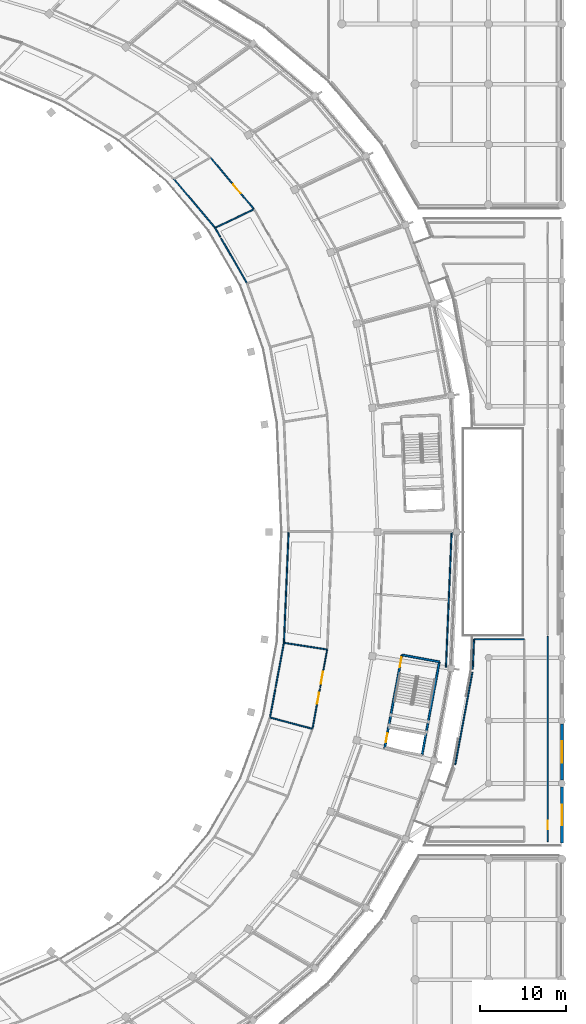
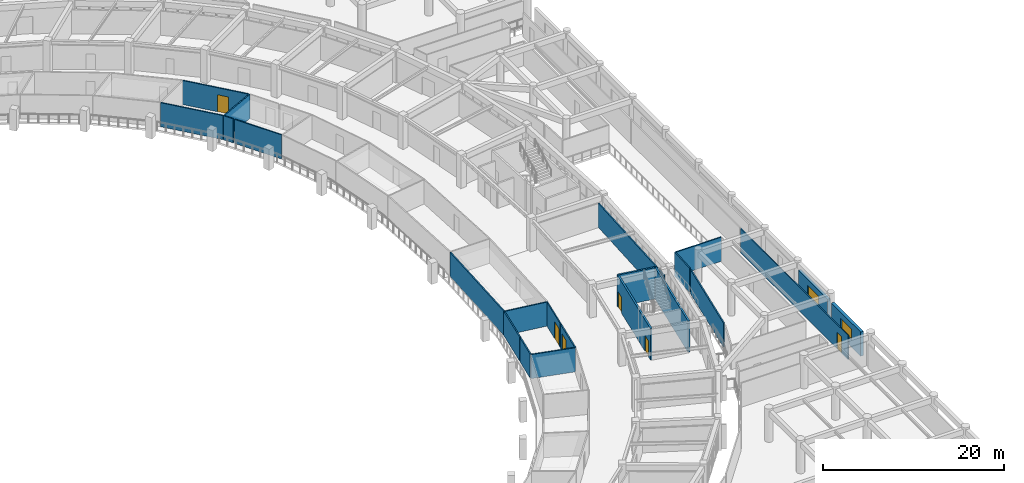
# One storey, part 100 of 141: 22 walls, 6 doors, 2 windows, 8 openings.
"""IFC4 building model written with IfcOpenShell, lengths in metres."""

from ifc_helpers import new_model, si_unit, direction, frame, frame_2d, origin, place, context, subcontext, project, spatial, rectangle, extrude, material, layer, layer_set, type_object, element, fill, save


model = new_model("IFC4")

# Units and contexts
model_context = context("Model", 3, precision=1e-05, world=origin(), true_north=direction((0.0, 1.0)))
body_context = subcontext(model_context, "Body", "Model", "MODEL_VIEW")
ifc_project = project(units=[si_unit("LENGTHUNIT", "METRE"), si_unit("AREAUNIT", "SQUARE_METRE"), si_unit("VOLUMEUNIT", "CUBIC_METRE"), si_unit("PLANEANGLEUNIT", "RADIAN"), si_unit("MASSUNIT", "GRAM", prefix="KILO")], contexts=[model_context])

# Site, building, storey
site_placement = place(None, origin())
site = spatial("IfcSite", under=ifc_project, at=site_placement, CompositionType="ELEMENT")
building_placement = place(site_placement, origin())
building = spatial("IfcBuilding", under=site, at=building_placement, Name="Mphavela Belvedere Stadium", CompositionType="ELEMENT")
storey_placement = place(building_placement, frame((0.0, 0.0, 14.699951171875)))
storey = spatial("IfcBuildingStorey", under=building, at=storey_placement, Name="L03", CompositionType="ELEMENT", Elevation=14.699951171875)

# Walls
ifc_material_1 = material(Name="Concrete C40/50", Category="concrete")
ifc_layer_1 = layer(ifc_material_1, 0.219970703125)
ifc_layer_set_1 = layer_set([ifc_layer_1], Name="Concrete C40/50")
wall_type_1 = type_object("IfcWallType", Name="WAL-CORE-SHEAR-220", PredefinedType="SHEAR", material=ifc_layer_set_1)
wall_1_placement = place(storey_placement, frame((215.771728515625, 71.914794921875, 0.0), z_axis=(0.0, 0.0, 1.0), x_axis=(-0.182574755222, -0.983191974517, 0.0)))
element("IfcWall", 1, at=wall_1_placement, inside=storey, type_object=wall_type_1, Name="Core C12 shear wall L03 rear", PredefinedType="SHEAR", context=body_context, shape_type="SweptSolid", body=[
    extrude(rectangle(XDim=11.02001953125, YDim=0.219970703125, at=frame_2d((5.510009765625, 0.0))), origin(), (0.0, 0.0, 1.0), 4.25),
])
wall_2_placement = place(storey_placement, frame((211.43603515625, 72.72021484375, 0.0), z_axis=(0.0, 0.0, 1.0), x_axis=(0.983179789985, -0.182640358532, 0.0)))
element("IfcWall", 2, at=wall_2_placement, inside=storey, type_object=wall_type_1, Name="Core C12 shear wall L03 left", PredefinedType="SHEAR", context=body_context, shape_type="SweptSolid", body=[
    extrude(rectangle(XDim=4.409912109375, YDim=0.219970703125, at=frame_2d((2.205078125, 0.0))), origin(), (0.0, 0.0, 1.0), 4.25),
])

# Wall, openings, doors
wall_3_placement = place(storey_placement, frame((211.43603515625, 72.72021484375, 0.0), z_axis=(0.0, 0.0, 1.0), x_axis=(-0.182570778451, -0.983192712979, 0.0)))
wall_3 = element("IfcWall", 3, at=wall_3_placement, inside=storey, type_object=wall_type_1, Name="Core C12 shear wall L03 front", PredefinedType="SHEAR", context=body_context, shape_type="SweptSolid", body=[
    extrude(rectangle(XDim=11.020263671875, YDim=0.219970703125, at=frame_2d((5.51025390625, 0.0))), origin(), (0.0, 0.0, 1.0), 4.25),
])
opening_1_placement = place(wall_3_placement, frame((0.300048828125, 0.0, 0.0)))
opening_1 = element("IfcOpeningElement", 4, at=opening_1_placement, cuts=wall_3, Name="Opening SD-065", PredefinedType="OPENING", context=body_context, shape_type="SweptSolid", body=[
    extrude(rectangle(XDim=1.14990234375, YDim=2.14990234375, at=frame_2d((0.574951171875, 1.074951171875))), frame((0.0, 0.1201171875, 0.0), z_axis=(0.0, -1.0, 0.0), x_axis=(1.0, 0.0, 0.0)), (0.0, 0.0, 1.0), 0.239990234375),
])
opening_2_placement = place(wall_3_placement, frame((9.22998046875, 0.0, 0.0)))
opening_2 = element("IfcOpeningElement", 5, at=opening_2_placement, cuts=wall_3, Name="Opening LD-065", PredefinedType="OPENING", context=body_context, shape_type="SweptSolid", body=[
    extrude(rectangle(XDim=1.10009765625, YDim=2.14990234375, at=frame_2d((0.550048828125, 1.074951171875))), frame((0.0, 0.1201171875, 0.0), z_axis=(0.0, -1.0, 0.0), x_axis=(1.0, 0.0, 0.0)), (0.0, 0.0, 1.0), 0.239990234375),
])
ifc_material_2 = material(Name="Stainless steel center-parting lift landing door", Category="steel")
door_type_1 = type_object("IfcDoorType", Name="DR-LIFT-SLIDE-1100", OperationType="NOTDEFINED", PredefinedType="DOOR", material=ifc_material_2)
door_1_placement = place(opening_2_placement, origin())
door_1 = element("IfcDoor", 6, at=door_1_placement, inside=storey, type_object=door_type_1, Name="Lift landing sliding door PL06 L03", OperationType="DOUBLE_DOOR_SLIDING", OverallHeight=2.14990234375, OverallWidth=1.10009765625, PredefinedType="DOOR", context=body_context, shape_type="SweptSolid", body=[
    extrude(rectangle(XDim=1.10009765625, YDim=2.14990234375, at=frame_2d((0.550048828125, 1.074951171875))), frame((0.0, 0.02490234375, 0.0), z_axis=(0.0, -1.0, 0.0), x_axis=(1.0, 0.0, 0.0)), (0.0, 0.0, 1.0), 0.050048828125),
])
fill(opening_2, door_1)
ifc_material_3 = material(Name="Steel acoustic fire-resisting stair doorset", Category="steel")
door_type_2 = type_object("IfcDoorType", Name="DR-STAIR-FIRE-1150", OperationType="NOTDEFINED", PredefinedType="DOOR", material=ifc_material_3)
door_2_placement = place(opening_1_placement, origin())
door_2 = element("IfcDoor", 7, at=door_2_placement, inside=storey, type_object=door_type_2, Name="Escape stair fire door C12 L03", OperationType="SINGLE_SWING_LEFT", OverallHeight=2.14990234375, OverallWidth=1.14990234375, PredefinedType="DOOR", context=body_context, shape_type="SweptSolid", body=[
    extrude(rectangle(XDim=1.14990234375, YDim=2.14990234375, at=frame_2d((0.574951171875, 1.074951171875))), frame((0.0, 0.02490234375, 0.0), z_axis=(0.0, -1.0, 0.0), x_axis=(1.0, 0.0, 0.0)), (0.0, 0.0, 1.0), 0.050048828125),
])
fill(opening_1, door_2)

# Wall, opening, window
ifc_material_4 = material(Name="Honed ashlar limestone masonry", Category="masonry")
ifc_layer_2 = layer(ifc_material_4, 0.35009765625)
ifc_layer_set_2 = layer_set([ifc_layer_2], Name="Honed ashlar limestone masonry")
wall_type_2 = type_object("IfcWallType", Name="WAL-EXT-ASHLAR-350", PredefinedType="STANDARD", material=ifc_layer_set_2)
wall_4_placement = place(storey_placement, frame((230.0, 57.402099609375, 0.0), z_axis=(0.0, 0.0, 1.0), x_axis=(0.0, -1.0, 0.0)))
wall_4 = element("IfcWall", 8, at=wall_4_placement, inside=storey, type_object=wall_type_2, Name="East Planted Eaves Peristyle Colonnade outer facade bay L03-01", PredefinedType="STANDARD", context=body_context, shape_type="SweptSolid", body=[
    extrude(rectangle(XDim=6.504150390625, YDim=0.35009765625, at=frame_2d((3.251953125, 0.0))), origin(), (0.0, 0.0, 1.0), 3.260009765625),
])
opening_3_placement = place(wall_4_placement, frame((2.072021484375, 0.0, 0.89990234375)))
opening_3 = element("IfcOpeningElement", 9, at=opening_3_placement, cuts=wall_4, Name="Opening W-318", PredefinedType="OPENING", context=body_context, shape_type="SweptSolid", body=[
    extrude(rectangle(XDim=2.360107421875, YDim=1.550048828125, at=frame_2d((1.18017578125, 0.77490234375))), frame((0.0, 0.18505859375, 0.0), z_axis=(0.0, -1.0, 0.0), x_axis=(1.0, 0.0, 0.0)), (0.0, 0.0, 1.0), 0.3701171875),
])
ifc_material_5 = material(Name="Bronze-anodised thermally broken aluminium window", Category="aluminium")
window_type_1 = type_object("IfcWindowType", Name="WIN-EXT-10", PartitioningType="SINGLE_PANEL", PredefinedType="WINDOW", material=ifc_material_5)
window_1_placement = place(opening_3_placement, origin())
window_1 = element("IfcWindow", 10, at=window_1_placement, inside=storey, type_object=window_type_1, Name="East Planted Eaves Peristyle Colonnade classical window W-318", OverallHeight=1.550048828125, OverallWidth=2.360107421875, PartitioningType="SINGLE_PANEL", PredefinedType="WINDOW", context=body_context, shape_type="SweptSolid", body=[
    extrude(rectangle(XDim=2.360107421875, YDim=1.550048828125, at=frame_2d((1.18017578125, 0.77490234375))), frame((0.0, 0.030029296875, 0.0), z_axis=(0.0, -1.0, 0.0), x_axis=(1.0, 0.0, 0.0)), (0.0, 0.0, 1.0), 0.06005859375),
])
fill(opening_3, window_1)

wall_5_placement = place(storey_placement, frame((230.0, 64.701904296875, 0.0), z_axis=(0.0, 0.0, 1.0), x_axis=(0.0, -1.0, 0.0)))
wall_5 = element("IfcWall", 11, at=wall_5_placement, inside=storey, type_object=wall_type_2, Name="East Planted Eaves Peristyle Colonnade outer facade bay L03-02", PredefinedType="STANDARD", context=body_context, shape_type="SweptSolid", body=[
    extrude(rectangle(XDim=6.50390625, YDim=0.35009765625, at=frame_2d((3.251953125, 0.0))), origin(), (0.0, 0.0, 1.0), 3.260009765625),
])
opening_4_placement = place(wall_5_placement, frame((1.991943359375, 0.0, 0.89990234375)))
opening_4 = element("IfcOpeningElement", 12, at=opening_4_placement, cuts=wall_5, Name="Opening W-319", PredefinedType="OPENING", context=body_context, shape_type="SweptSolid", body=[
    extrude(rectangle(XDim=2.52001953125, YDim=1.550048828125, at=frame_2d((1.260009765625, 0.77490234375))), frame((0.0, 0.18505859375, 0.0), z_axis=(0.0, -1.0, 0.0), x_axis=(1.0, 0.0, 0.0)), (0.0, 0.0, 1.0), 0.3701171875),
])
ifc_material_6 = material(Name="Bronze-anodised thermally broken aluminium window", Category="aluminium")
window_type_2 = type_object("IfcWindowType", Name="WIN-EXT-11", PartitioningType="SINGLE_PANEL", PredefinedType="WINDOW", material=ifc_material_6)
window_2_placement = place(opening_4_placement, origin())
window_2 = element("IfcWindow", 13, at=window_2_placement, inside=storey, type_object=window_type_2, Name="East Planted Eaves Peristyle Colonnade classical window W-319", OverallHeight=1.550048828125, OverallWidth=2.52001953125, PartitioningType="SINGLE_PANEL", PredefinedType="WINDOW", context=body_context, shape_type="SweptSolid", body=[
    extrude(rectangle(XDim=2.52001953125, YDim=1.550048828125, at=frame_2d((1.260009765625, 0.77490234375))), frame((0.0, 0.030029296875, 0.0), z_axis=(0.0, -1.0, 0.0), x_axis=(1.0, 0.0, 0.0)), (0.0, 0.0, 1.0), 0.06005859375),
])
fill(opening_4, window_2)

# Wall, opening, door
ifc_material_7 = material(Name="Moisture-resistant sanitary partition assembly")
ifc_layer_3 = layer(ifc_material_7, 0.125)
ifc_layer_set_3 = layer_set([ifc_layer_3], Name="Moisture-resistant sanitary partition assembly")
wall_type_3 = type_object("IfcWallType", Name="WAL-PART-125", PredefinedType="PARTITIONING", material=ifc_layer_set_3)
wall_6_placement = place(storey_placement, frame((202.748779296875, 73.34912109375, 0.0), z_axis=(0.0, 0.0, 1.0), x_axis=(-0.182570407563, -0.98319278185, 0.0)))
wall_6 = element("IfcWall", 14, at=wall_6_placement, inside=storey, type_object=wall_type_3, Name="Room L03-161 corridor partition", PredefinedType="PARTITIONING", context=body_context, shape_type="SweptSolid", body=[
    extrude(rectangle(XDim=4.48779296875, YDim=0.125, at=frame_2d((2.243896484375, 0.0))), origin(), (0.0, 0.0, 1.0), 3.25),
])
opening_5_placement = place(wall_6_placement, frame((2.6455078125, 0.0, 0.0)))
opening_5 = element("IfcOpeningElement", 15, at=opening_5_placement, cuts=wall_6, Name="Opening ID-324", PredefinedType="OPENING", context=body_context, shape_type="SweptSolid", body=[
    extrude(rectangle(XDim=1.39990234375, YDim=2.300048828125, at=frame_2d((0.699951171875, 1.14990234375))), frame((0.0, 0.072509765625, 0.0), z_axis=(0.0, -1.0, 0.0), x_axis=(1.0, 0.0, 0.0)), (0.0, 0.0, 1.0), 0.14501953125),
])
ifc_material_8 = material(Name="Hardwood acoustic timber doorset", Category="wood")
door_type_3 = type_object("IfcDoorType", Name="DR-INT-36", OperationType="NOTDEFINED", PredefinedType="DOOR", material=ifc_material_8)
door_3_placement = place(opening_5_placement, origin())
door_3 = element("IfcDoor", 16, at=door_3_placement, inside=storey, type_object=door_type_3, Name="Room L03-161 entrance door ID-324", OperationType="SINGLE_SWING_RIGHT", OverallHeight=2.300048828125, OverallWidth=1.39990234375, PredefinedType="DOOR", context=body_context, shape_type="SweptSolid", body=[
    extrude(rectangle(XDim=1.39990234375, YDim=2.300048828125, at=frame_2d((0.699951171875, 1.14990234375))), frame((0.0, 0.02490234375, 0.0), z_axis=(0.0, -1.0, 0.0), x_axis=(1.0, 0.0, 0.0)), (0.0, 0.0, 1.0), 0.050048828125),
])
fill(opening_5, door_3)

wall_7_placement = place(storey_placement, frame((228.360107421875, 51.050048828125, 0.0), z_axis=(0.0, 0.0, 1.0), x_axis=(0.0, 1.0, 0.0)))
wall_7 = element("IfcWall", 17, at=wall_7_placement, inside=storey, type_object=wall_type_3, Name="Room L03-202 corridor partition", PredefinedType="PARTITIONING", context=body_context, shape_type="SweptSolid", body=[
    extrude(rectangle(XDim=23.833251953125, YDim=0.125, at=frame_2d((11.91650390625, 0.0))), origin(), (0.0, 0.0, 1.0), 3.25),
])
opening_6_placement = place(wall_7_placement, frame((1.4306640625, 0.0, 0.0)))
opening_6 = element("IfcOpeningElement", 18, at=opening_6_placement, cuts=wall_7, Name="Opening ID-555", PredefinedType="OPENING", context=body_context, shape_type="SweptSolid", body=[
    extrude(rectangle(XDim=0.97998046875, YDim=2.199951171875, at=frame_2d((0.489990234375, 1.10009765625))), frame((0.0, 0.072509765625, 0.0), z_axis=(0.0, -1.0, 0.0), x_axis=(1.0, 0.0, 0.0)), (0.0, 0.0, 1.0), 0.14501953125),
])
ifc_material_9 = material(Name="Hardwood acoustic timber doorset", Category="wood")
door_type_4 = type_object("IfcDoorType", Name="DR-INT-15", OperationType="NOTDEFINED", PredefinedType="DOOR", material=ifc_material_9)
door_4_placement = place(opening_6_placement, origin())
door_4 = element("IfcDoor", 19, at=door_4_placement, inside=storey, type_object=door_type_4, Name="Room L03-202 entrance door ID-555", OperationType="SINGLE_SWING_LEFT", OverallHeight=2.199951171875, OverallWidth=0.97998046875, PredefinedType="DOOR", context=body_context, shape_type="SweptSolid", body=[
    extrude(rectangle(XDim=0.97998046875, YDim=2.199951171875, at=frame_2d((0.489990234375, 1.10009765625))), frame((0.0, 0.02490234375, 0.0), z_axis=(0.0, -1.0, 0.0), x_axis=(1.0, 0.0, 0.0)), (0.0, 0.0, 1.0), 0.050048828125),
])
fill(opening_6, door_4)

ifc_material_10 = material(Name="Acoustic gypsum stud partition assembly")
ifc_layer_4 = layer(ifc_material_10, 0.14990234375)
ifc_layer_set_4 = layer_set([ifc_layer_4], Name="Acoustic gypsum stud partition assembly")
wall_type_4 = type_object("IfcWallType", Name="WAL-PART-150", PredefinedType="PARTITIONING", material=ifc_layer_set_4)
wall_8_placement = place(storey_placement, frame((189.193115234375, 130.481689453125, 0.0), z_axis=(0.0, 0.0, 1.0), x_axis=(0.645180817826, -0.764029915847, 0.0)))
wall_8 = element("IfcWall", 20, at=wall_8_placement, inside=storey, type_object=wall_type_4, Name="Room L03-46 corridor partition", PredefinedType="PARTITIONING", context=body_context, shape_type="SweptSolid", body=[
    extrude(rectangle(XDim=7.779296875, YDim=0.14990234375, at=frame_2d((3.8896484375, 0.0))), origin(), (0.0, 0.0, 1.0), 3.25),
])
opening_7_placement = place(wall_8_placement, frame((4.1025390625, 0.0, 0.0)))
opening_7 = element("IfcOpeningElement", 21, at=opening_7_placement, cuts=wall_8, Name="Opening ID-251", PredefinedType="OPENING", context=body_context, shape_type="SweptSolid", body=[
    extrude(rectangle(XDim=1.320068359375, YDim=2.300048828125, at=frame_2d((0.66015625, 1.14990234375))), frame((0.0, 0.0849609375, 0.0), z_axis=(0.0, -1.0, 0.0), x_axis=(1.0, 0.0, 0.0)), (0.0, 0.0, 1.0), 0.169921875),
])
ifc_material_11 = material(Name="Hardwood acoustic timber doorset", Category="wood")
door_type_5 = type_object("IfcDoorType", Name="DR-INT-35", OperationType="NOTDEFINED", PredefinedType="DOOR", material=ifc_material_11)
door_5_placement = place(opening_7_placement, origin())
door_5 = element("IfcDoor", 22, at=door_5_placement, inside=storey, type_object=door_type_5, Name="Room L03-46 entrance door ID-251", OperationType="SINGLE_SWING_LEFT", OverallHeight=2.300048828125, OverallWidth=1.320068359375, PredefinedType="DOOR", context=body_context, shape_type="SweptSolid", body=[
    extrude(rectangle(XDim=1.320068359375, YDim=2.300048828125, at=frame_2d((0.66015625, 1.14990234375))), frame((0.0, 0.02490234375, 0.0), z_axis=(0.0, -1.0, 0.0), x_axis=(1.0, 0.0, 0.0)), (0.0, 0.0, 1.0), 0.050048828125),
])
fill(opening_7, door_5)

wall_9_placement = place(storey_placement, frame((201.899658203125, 68.77685546875, 0.0), z_axis=(0.0, 0.0, 1.0), x_axis=(-0.182611838257, -0.983185087625, 0.0)))
wall_9 = element("IfcWall", 23, at=wall_9_placement, inside=storey, type_object=wall_type_4, Name="Room L03-160 corridor partition", PredefinedType="PARTITIONING", context=body_context, shape_type="SweptSolid", body=[
    extrude(rectangle(XDim=4.6337890625, YDim=0.14990234375, at=frame_2d((2.31689453125, 0.0))), origin(), (0.0, 0.0, 1.0), 3.25),
])
opening_8_placement = place(wall_9_placement, frame((0.45361328125, 0.0, 0.0)))
opening_8 = element("IfcOpeningElement", 24, at=opening_8_placement, cuts=wall_9, Name="Opening ID-323", PredefinedType="OPENING", context=body_context, shape_type="SweptSolid", body=[
    extrude(rectangle(XDim=1.320068359375, YDim=2.300048828125, at=frame_2d((0.66015625, 1.14990234375))), frame((0.0, 0.0849609375, 0.0), z_axis=(0.0, -1.0, 0.0), x_axis=(1.0, 0.0, 0.0)), (0.0, 0.0, 1.0), 0.169921875),
])
door_6_placement = place(opening_8_placement, origin())
door_6 = element("IfcDoor", 25, at=door_6_placement, inside=storey, type_object=door_type_5, Name="Room L03-160 entrance door ID-323", OperationType="SINGLE_SWING_LEFT", OverallHeight=2.300048828125, OverallWidth=1.320068359375, PredefinedType="DOOR", context=body_context, shape_type="SweptSolid", body=[
    extrude(rectangle(XDim=1.320068359375, YDim=2.300048828125, at=frame_2d((0.66015625, 1.14990234375))), frame((0.0, 0.02490234375, 0.0), z_axis=(0.0, -1.0, 0.0), x_axis=(1.0, 0.0, 0.0)), (0.0, 0.0, 1.0), 0.050048828125),
])
fill(opening_8, door_6)

# Walls
wall_10_placement = place(storey_placement, frame((193.41650390625, 115.931640625, 0.0), z_axis=(0.0, 0.0, 1.0), x_axis=(-0.500584434262, 0.865687717468, 0.0)))
element("IfcWall", 26, at=wall_10_placement, inside=storey, type_object=wall_type_4, Name="Room divider partition L03-0445", PredefinedType="PARTITIONING", context=body_context, shape_type="SweptSolid", body=[
    extrude(rectangle(XDim=5.964599609375, YDim=0.14990234375, at=frame_2d((2.982421875, 0.0))), origin(), (0.0, 0.0, 1.0), 3.25),
])
wall_11_placement = place(storey_placement, frame((189.720703125, 122.323486328125, 0.0), z_axis=(0.0, 0.0, 1.0), x_axis=(0.903854607543, 0.427839746194, 0.0)))
element("IfcWall", 27, at=wall_11_placement, inside=storey, type_object=wall_type_4, Name="Room divider partition L03-0446", PredefinedType="PARTITIONING", context=body_context, shape_type="SweptSolid", body=[
    extrude(rectangle(XDim=5.022216796875, YDim=0.14990234375, at=frame_2d((2.51123046875, 0.0))), origin(), (0.0, 0.0, 1.0), 3.25),
])
wall_12_placement = place(storey_placement, frame((190.338134765625, 121.25537109375, 0.0), z_axis=(0.0, 0.0, 1.0), x_axis=(-0.500458917138, 0.865760285678, 0.0)))
element("IfcWall", 28, at=wall_12_placement, inside=storey, type_object=wall_type_4, Name="Room divider partition L03-0447", PredefinedType="PARTITIONING", context=body_context, shape_type="SweptSolid", body=[
    extrude(rectangle(XDim=1.233642578125, YDim=0.14990234375, at=frame_2d((0.61669921875, 0.0))), origin(), (0.0, 0.0, 1.0), 3.25),
])
wall_13_placement = place(storey_placement, frame((189.6748046875, 122.390380859375, 0.0), z_axis=(0.0, 0.0, 1.0), x_axis=(-0.645177360874, 0.764032835038, 0.0)))
element("IfcWall", 29, at=wall_13_placement, inside=storey, type_object=wall_type_4, Name="Room divider partition L03-0450", PredefinedType="PARTITIONING", context=body_context, shape_type="SweptSolid", body=[
    extrude(rectangle(XDim=7.3291015625, YDim=0.14990234375, at=frame_2d((3.66455078125, 0.0))), origin(), (0.0, 0.0, 1.0), 3.25),
])
wall_14_placement = place(storey_placement, frame((196.101806640625, 65.451416015625, 0.0), z_axis=(0.0, 0.0, 1.0), x_axis=(0.966586731076, -0.256339796576, 0.0)))
element("IfcWall", 30, at=wall_14_placement, inside=storey, type_object=wall_type_4, Name="Room divider partition L03-0580", PredefinedType="PARTITIONING", context=body_context, shape_type="SweptSolid", body=[
    extrude(rectangle(XDim=5.10107421875, YDim=0.14990234375, at=frame_2d((2.550537109375, 0.0))), origin(), (0.0, 0.0, 1.0), 3.25),
])
wall_15_placement = place(storey_placement, frame((196.122802734375, 65.528564453125, 0.0), z_axis=(0.0, 0.0, 1.0), x_axis=(0.182668726996, 0.983174519695, 0.0)))
element("IfcWall", 31, at=wall_15_placement, inside=storey, type_object=wall_type_4, Name="Room divider partition L03-0581", PredefinedType="PARTITIONING", context=body_context, shape_type="SweptSolid", body=[
    extrude(rectangle(XDim=3.303955078125, YDim=0.14990234375, at=frame_2d((1.65185546875, 0.0))), origin(), (0.0, 0.0, 1.0), 3.25),
])
wall_16_placement = place(storey_placement, frame((197.72021484375, 74.12890625, 0.0), z_axis=(0.0, 0.0, 1.0), x_axis=(0.988189064654, -0.15323959181, 0.0)))
element("IfcWall", 32, at=wall_16_placement, inside=storey, type_object=wall_type_4, Name="Room divider partition L03-0582", PredefinedType="PARTITIONING", context=body_context, shape_type="SweptSolid", body=[
    extrude(rectangle(XDim=5.088623046875, YDim=0.14990234375, at=frame_2d((2.54443359375, 0.0))), origin(), (0.0, 0.0, 1.0), 3.25),
])
wall_17_placement = place(storey_placement, frame((196.755859375, 68.936767578125, 0.0), z_axis=(0.0, 0.0, 1.0), x_axis=(0.182610707923, 0.983185297567, 0.0)))
element("IfcWall", 33, at=wall_17_placement, inside=storey, type_object=wall_type_4, Name="Room divider partition L03-0583", PredefinedType="PARTITIONING", context=body_context, shape_type="SweptSolid", body=[
    extrude(rectangle(XDim=5.281005859375, YDim=0.14990234375, at=frame_2d((2.640625, 0.0))), origin(), (0.0, 0.0, 1.0), 3.25),
])
wall_18_placement = place(storey_placement, frame((197.7294921875, 74.20849609375, 0.0), z_axis=(0.0, 0.0, 1.0), x_axis=(0.04191221065, 0.99912129724, 0.0)))
element("IfcWall", 34, at=wall_18_placement, inside=storey, type_object=wall_type_4, Name="Room divider partition L03-0584", PredefinedType="PARTITIONING", context=body_context, shape_type="SweptSolid", body=[
    extrude(rectangle(XDim=12.7626953125, YDim=0.14990234375, at=frame_2d((6.38134765625, 0.0))), origin(), (0.0, 0.0, 1.0), 3.25),
])
wall_19_placement = place(storey_placement, frame((217.1962890625, 86.9599609375, 0.0), z_axis=(0.0, 0.0, 1.0), x_axis=(-0.041907682199, -0.999121487194, 0.0)))
element("IfcWall", 35, at=wall_19_placement, inside=storey, type_object=wall_type_4, Name="Room divider partition L03-0585", PredefinedType="PARTITIONING", context=body_context, shape_type="SweptSolid", body=[
    extrude(rectangle(XDim=15.6826171875, YDim=0.14990234375, at=frame_2d((7.84130859375, 0.0))), origin(), (0.0, 0.0, 1.0), 3.25),
])
wall_20_placement = place(storey_placement, frame((217.62255859375, 59.98095703125, 0.0), z_axis=(0.0, 0.0, 1.0), x_axis=(0.182620957058, 0.983183393901, 0.0)))
element("IfcWall", 36, at=wall_20_placement, inside=storey, type_object=wall_type_4, Name="Room divider partition L03-1272", PredefinedType="PARTITIONING", context=body_context, shape_type="SweptSolid", body=[
    extrude(rectangle(XDim=10.90087890625, YDim=0.14990234375, at=frame_2d((5.450439453125, 0.0))), origin(), (0.0, 0.0, 1.0), 3.25),
])
wall_21_placement = place(storey_placement, frame((219.6533203125, 71.05029296875, 0.0), z_axis=(0.0, 0.0, 1.0), x_axis=(0.041888559174, 0.999122289117, 0.0)))
element("IfcWall", 37, at=wall_21_placement, inside=storey, type_object=wall_type_4, Name="Room divider partition L03-1273", PredefinedType="PARTITIONING", context=body_context, shape_type="SweptSolid", body=[
    extrude(rectangle(XDim=3.5029296875, YDim=0.14990234375, at=frame_2d((1.75146484375, 0.0))), origin(), (0.0, 0.0, 1.0), 3.25),
])
wall_22_placement = place(storey_placement, frame((219.800048828125, 74.550048828125, 0.0), z_axis=(0.0, 0.0, 1.0), x_axis=(1.0, 0.0, 0.0)))
element("IfcWall", 38, at=wall_22_placement, inside=storey, type_object=wall_type_4, Name="Room divider partition L03-1274", PredefinedType="PARTITIONING", context=body_context, shape_type="SweptSolid", body=[
    extrude(rectangle(XDim=5.83984375, YDim=0.14990234375, at=frame_2d((2.919921875, 0.0))), origin(), (0.0, 0.0, 1.0), 3.25),
])

save(model, "model.ifc")
